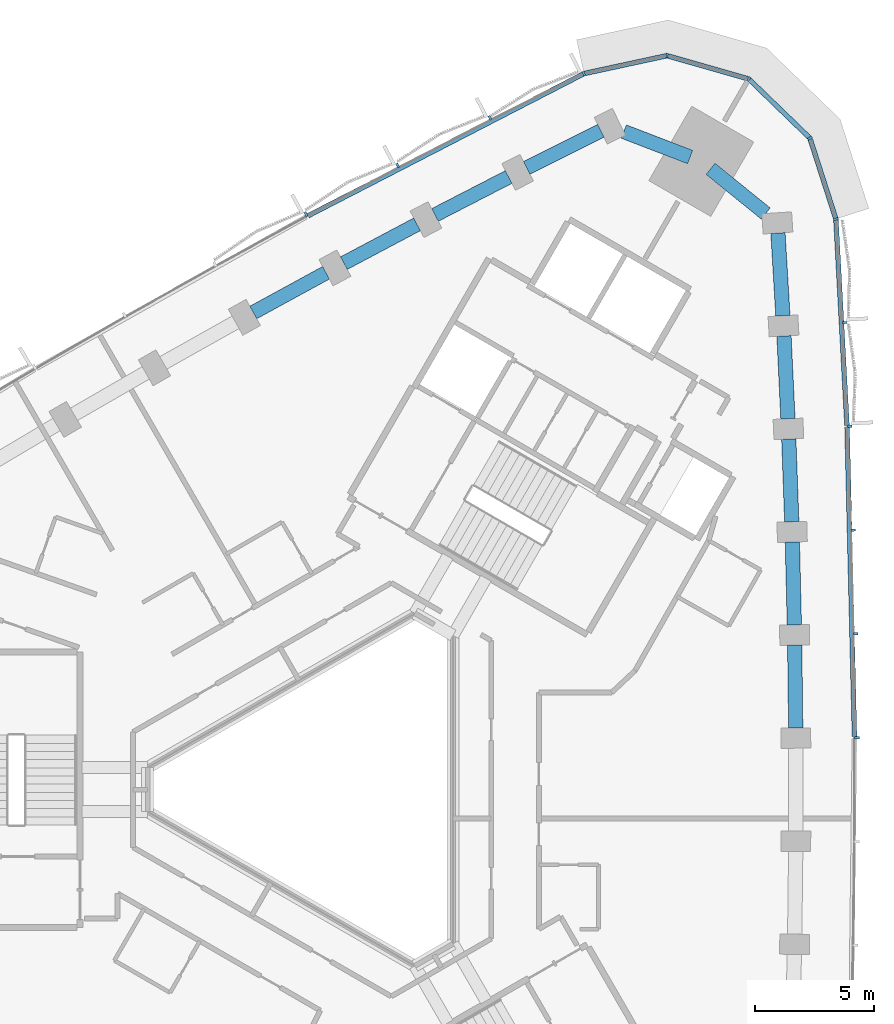
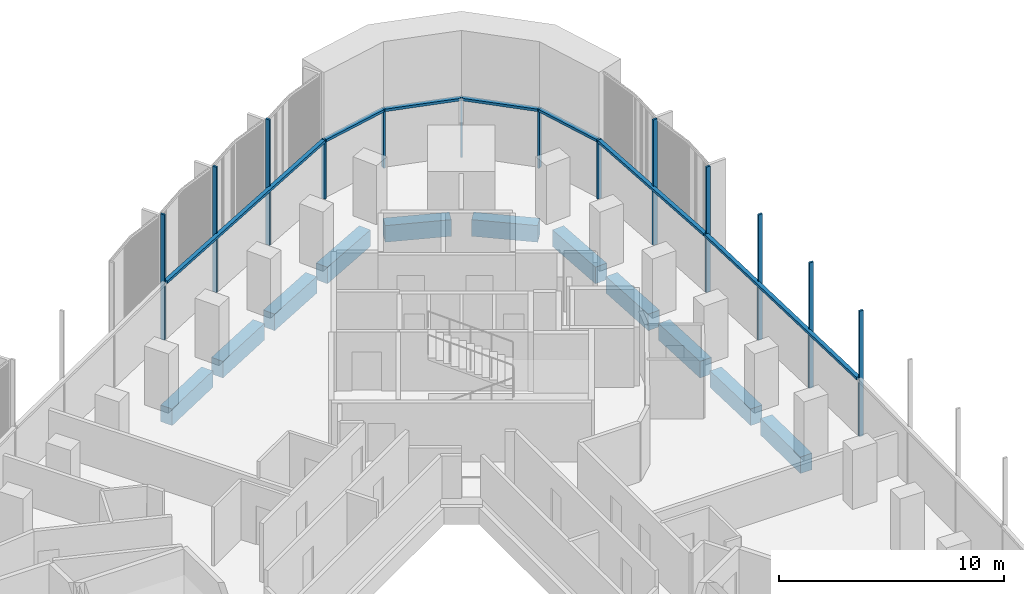
# One storey, part 5 of 14: 20 members, 11 beams, 2 elements without a shape of their own.
"""IFC4 building model written with IfcOpenShell, lengths in metres."""

from ifc_helpers import new_model, si_unit, direction, frame, origin, origin_2d, place, context, subcontext, project, spatial, rectangle, extrude, material, material_profile, profile_set, type_object, element, aggregate, save


model = new_model("IFC4")

# Units and contexts
model_context = context("Model", 3, precision=1e-05, world=origin(), true_north=direction((0.0, 1.0)))
body_context = subcontext(model_context, "Body", "Model", "MODEL_VIEW")
ifc_project = project(units=[si_unit("LENGTHUNIT", "METRE"), si_unit("AREAUNIT", "SQUARE_METRE"), si_unit("VOLUMEUNIT", "CUBIC_METRE"), si_unit("PLANEANGLEUNIT", "RADIAN"), si_unit("MASSUNIT", "GRAM", prefix="KILO")], contexts=[model_context])

# Site, building, storey
site_placement = place(None, origin())
site = spatial("IfcSite", under=ifc_project, at=site_placement, CompositionType="ELEMENT")
building_placement = place(site_placement, origin())
building = spatial("IfcBuilding", under=site, at=building_placement, Name="Tamra Quay Hotel Tower", CompositionType="ELEMENT")
storey_placement = place(building_placement, frame((0.0, 0.0, 150.39990234375)))
storey = spatial("IfcBuildingStorey", under=building, at=storey_placement, Name="L37", CompositionType="ELEMENT", Elevation=150.39990234375)

# Curtain wall, members
ifc_material_1 = material(Name="Aluminium 6063 anodised dark grey", Category="aluminium")
curtain_wall_type_1 = type_object("IfcCurtainWallType", Name="CW1 CURTAIN WALL", PredefinedType="NOTDEFINED", material=ifc_material_1)
curtain_wall_1_placement = place(storey_placement, origin())
curtain_wall_1 = element("IfcCurtainWall", 1, at=curtain_wall_1_placement, inside=storey, type_object=curtain_wall_type_1, Name="CW1 east face L37", PredefinedType="NOTDEFINED")
ifc_material_profile_1 = material_profile(ifc_material_1, rectangle(XDim=0.199951171875, YDim=0.10009765625, at=origin_2d()), Name="MULLION 100X200")
ifc_profile_set_1 = profile_set([ifc_material_profile_1], Name="Aluminium 6063 anodised dark grey")
member_type_1 = type_object("IfcMemberType", Name="MULLION CW1 Z3", PredefinedType="MULLION", material=ifc_profile_set_1)
member_1_placement = place(storey_placement, frame((21.7314453125, 2.177001953125, 0.0), z_axis=(0.0, 0.0, 1.0), x_axis=(0.999982128389, 0.005978536749, 0.0)))
member_1 = element("IfcMember", 2, at=member_1_placement, type_object=member_type_1, Name="CW1 mullion L37.E.7", PredefinedType="MULLION", context=body_context, shape_type="SweptSolid", body=[
    extrude(rectangle(XDim=0.199951171875, YDim=0.10009765625, at=origin_2d()), origin(), (0.0, 0.0, 1.0), 6.800048828125),
])
member_2_placement = place(storey_placement, frame((21.679443359375, 6.52880859375, 0.0), z_axis=(0.0, 0.0, 1.0), x_axis=(0.999839304234, 0.017926675875, 0.0)))
member_2 = element("IfcMember", 3, at=member_2_placement, type_object=member_type_1, Name="CW1 mullion L37.E.8", PredefinedType="MULLION", context=body_context, shape_type="SweptSolid", body=[
    extrude(rectangle(XDim=0.199951171875, YDim=0.10009765625, at=origin_2d()), origin(), (0.0, 0.0, 1.0), 6.800048828125),
])
member_3_placement = place(storey_placement, frame((21.575439453125, 10.88134765625, 0.0), z_axis=(0.0, 0.0, 1.0), x_axis=(0.999553757047, 0.029871169599, 0.0)))
member_3 = element("IfcMember", 4, at=member_3_placement, type_object=member_type_1, Name="CW1 mullion L37.E.9", PredefinedType="MULLION", context=body_context, shape_type="SweptSolid", body=[
    extrude(rectangle(XDim=0.199951171875, YDim=0.10009765625, at=origin_2d()), origin(), (0.0, 0.0, 1.0), 6.800048828125),
])
member_4_placement = place(storey_placement, frame((21.41943359375, 15.232421875, 0.0), z_axis=(0.0, 0.0, 1.0), x_axis=(0.99912611643, 0.041797170557, 0.0)))
member_4 = element("IfcMember", 5, at=member_4_placement, type_object=member_type_1, Name="CW1 mullion L37.E.10", PredefinedType="MULLION", context=body_context, shape_type="SweptSolid", body=[
    extrude(rectangle(XDim=0.199951171875, YDim=0.10009765625, at=origin_2d()), origin(), (0.0, 0.0, 1.0), 6.800048828125),
])
member_5_placement = place(storey_placement, frame((21.211669921875, 19.57958984375, 0.0), z_axis=(0.0, 0.0, 1.0), x_axis=(0.99855735675, 0.053695486602, 0.0)))
member_5 = element("IfcMember", 6, at=member_5_placement, type_object=member_type_1, Name="CW1 mullion L37.E.11", PredefinedType="MULLION", context=body_context, shape_type="SweptSolid", body=[
    extrude(rectangle(XDim=0.199951171875, YDim=0.10009765625, at=origin_2d()), origin(), (0.0, 0.0, 1.0), 6.800048828125),
])
member_6_placement = place(storey_placement, frame((20.852294921875, 23.918212890625, 0.0), z_axis=(0.0, 0.0, 1.0), x_axis=(0.982883217826, 0.184229693905, 0.0)))
member_6 = element("IfcMember", 7, at=member_6_placement, type_object=member_type_1, Name="CW1 mullion L37.E.12", PredefinedType="MULLION", context=body_context, shape_type="SweptSolid", body=[
    extrude(rectangle(XDim=0.199951171875, YDim=0.10009765625, at=origin_2d()), origin(), (0.0, 0.0, 1.0), 3.2001953125),
])
member_7_placement = place(storey_placement, frame((19.76171875, 27.312255859375, 0.0), z_axis=(0.0, 0.0, 1.0), x_axis=(0.849197833806, 0.52807484229, 0.0)))
member_7 = element("IfcMember", 8, at=member_7_placement, type_object=member_type_1, Name="CW1 mullion L37.E.13", PredefinedType="MULLION", context=body_context, shape_type="SweptSolid", body=[
    extrude(rectangle(XDim=0.199951171875, YDim=0.10009765625, at=origin_2d()), origin(), (0.0, 0.0, 1.0), 3.2001953125),
])
member_8_placement = place(storey_placement, frame((17.199951171875, 29.791259765625, 0.0), z_axis=(0.0, 0.0, 1.0), x_axis=(0.5, 0.866025403784, 0.0)))
member_8 = element("IfcMember", 9, at=member_8_placement, type_object=member_type_1, Name="CW1 mullion L37.E.14", PredefinedType="MULLION", context=body_context, shape_type="SweptSolid", body=[
    extrude(rectangle(XDim=0.199951171875, YDim=0.10009765625, at=origin_2d()), origin(), (0.0, 0.0, 1.0), 3.2001953125),
])
member_9_placement = place(storey_placement, frame((13.772216796875, 30.770263671875, 0.0), z_axis=(0.0, 0.0, 1.0), x_axis=(0.032727311619, 0.99946431806, 0.0)))
member_9 = element("IfcMember", 10, at=member_9_placement, type_object=member_type_1, Name="CW1 mullion L37.E.15", PredefinedType="MULLION", context=body_context, shape_type="SweptSolid", body=[
    extrude(rectangle(XDim=0.199951171875, YDim=0.10009765625, at=origin_2d()), origin(), (0.0, 0.0, 1.0), 3.2001953125),
])

curtain_wall_type_2 = type_object("IfcCurtainWallType", Name="CW2 CURTAIN WALL", PredefinedType="NOTDEFINED", material=ifc_material_1)
curtain_wall_2_placement = place(storey_placement, origin())
curtain_wall_2 = element("IfcCurtainWall", 11, at=curtain_wall_2_placement, inside=storey, type_object=curtain_wall_type_2, Name="CW2 north-west face L37", PredefinedType="NOTDEFINED")
ifc_material_profile_2 = material_profile(ifc_material_1, rectangle(XDim=0.199951171875, YDim=0.10009765625, at=origin_2d()), Name="MULLION 100X200")
ifc_profile_set_2 = profile_set([ifc_material_profile_2], Name="Aluminium 6063 anodised dark grey")
member_type_2 = type_object("IfcMemberType", Name="MULLION CW2 Z3", PredefinedType="MULLION", material=ifc_profile_set_2)
member_10_placement = place(storey_placement, frame((10.28759765625, 30.017578125, 0.0), z_axis=(0.0, 0.0, 1.0), x_axis=(-0.33189401386, 0.943316682543, 0.0)))
member_10 = element("IfcMember", 12, at=member_10_placement, type_object=member_type_2, Name="CW2 mullion L37.NW.1", PredefinedType="MULLION", context=body_context, shape_type="SweptSolid", body=[
    extrude(rectangle(XDim=0.199951171875, YDim=0.10009765625, at=origin_2d()), origin(), (0.0, 0.0, 1.0), 3.2001953125),
])
member_11_placement = place(storey_placement, frame((6.3505859375, 28.15966796875, 0.0), z_axis=(0.0, 0.0, 1.0), x_axis=(-0.452777022909, 0.891623781382, 0.0)))
member_11 = element("IfcMember", 13, at=member_11_placement, type_object=member_type_2, Name="CW2 mullion L37.NW.2", PredefinedType="MULLION", context=body_context, shape_type="SweptSolid", body=[
    extrude(rectangle(XDim=0.199951171875, YDim=0.10009765625, at=origin_2d()), origin(), (0.0, 0.0, 1.0), 6.800048828125),
])
member_12_placement = place(storey_placement, frame((2.48193359375, 26.166015625, 0.0), z_axis=(0.0, 0.0, 1.0), x_axis=(-0.463365646706, 0.886167183692, 0.0)))
member_12 = element("IfcMember", 14, at=member_12_placement, type_object=member_type_2, Name="CW2 mullion L37.NW.3", PredefinedType="MULLION", context=body_context, shape_type="SweptSolid", body=[
    extrude(rectangle(XDim=0.199951171875, YDim=0.10009765625, at=origin_2d()), origin(), (0.0, 0.0, 1.0), 6.800048828125),
])
member_13_placement = place(storey_placement, frame((-1.3642578125, 24.12548828125, 0.0), z_axis=(0.0, 0.0, 1.0), x_axis=(-0.47390768681, 0.88057453085, 0.0)))
member_13 = element("IfcMember", 15, at=member_13_placement, type_object=member_type_2, Name="CW2 mullion L37.NW.4", PredefinedType="MULLION", context=body_context, shape_type="SweptSolid", body=[
    extrude(rectangle(XDim=0.199951171875, YDim=0.10009765625, at=origin_2d()), origin(), (0.0, 0.0, 1.0), 6.800048828125),
])

# Beams
ifc_material_2 = material(Name="Concrete M60", Category="concrete")
ifc_material_profile_3 = material_profile(ifc_material_2, rectangle(XDim=0.60009765625, YDim=0.89990234375, at=origin_2d()), Name="SPANDREL BEAM RC 600x900")
ifc_profile_set_3 = profile_set([ifc_material_profile_3], Name="Concrete M60")
beam_type = type_object("IfcBeamType", Name="SPANDREL BEAM RC 600x900", PredefinedType="SPANDREL", material=ifc_profile_set_3)
beam_1_placement = place(storey_placement, frame((19.165771484375, 2.586181640625, -0.849853515625), z_axis=(-0.011951617666, 0.999928576867, 0.0), x_axis=(-0.999928576867, -0.011951617666, 0.0)))
element("IfcBeam", 16, at=beam_1_placement, inside=storey, type_object=beam_type, Name="BM-SP3-006-L37", PredefinedType="SPANDREL", context=body_context, shape_type="SweptSolid", body=[
    extrude(rectangle(XDim=0.60009765625, YDim=0.89990234375, at=origin_2d()), origin(), (0.0, 0.0, 1.0), 3.47265625),
])
beam_2_placement = place(storey_placement, frame((19.10888671875, 6.90869140625, -0.849853515625), z_axis=(-0.023906514803, 0.999714198434, 0.0), x_axis=(-0.999714198434, -0.023906514803, 0.0)))
element("IfcBeam", 17, at=beam_2_placement, inside=storey, type_object=beam_type, Name="BM-SP3-007-L37", PredefinedType="SPANDREL", context=body_context, shape_type="SweptSolid", body=[
    extrude(rectangle(XDim=0.60009765625, YDim=0.89990234375, at=origin_2d()), origin(), (0.0, 0.0, 1.0), 3.47216796875),
])
beam_3_placement = place(storey_placement, frame((19.00048828125, 11.2294921875, -0.849853515625), z_axis=(-0.035786826945, 0.999359446354, 0.0), x_axis=(-0.999359446354, -0.035786826945, 0.0)))
element("IfcBeam", 18, at=beam_3_placement, inside=storey, type_object=beam_type, Name="BM-SP3-008-L37", PredefinedType="SPANDREL", context=body_context, shape_type="SweptSolid", body=[
    extrude(rectangle(XDim=0.60009765625, YDim=0.89990234375, at=origin_2d()), origin(), (0.0, 0.0, 1.0), 3.472412109375),
])
beam_4_placement = place(storey_placement, frame((18.840576171875, 15.548828125, -0.849853515625), z_axis=(-0.047732145575, 0.998860171535, 0.0), x_axis=(-0.998860171535, -0.047732145575, 0.0)))
element("IfcBeam", 19, at=beam_4_placement, inside=storey, type_object=beam_type, Name="BM-SP3-009-L37", PredefinedType="SPANDREL", context=body_context, shape_type="SweptSolid", body=[
    extrude(rectangle(XDim=0.60009765625, YDim=0.89990234375, at=origin_2d()), origin(), (0.0, 0.0, 1.0), 3.472900390625),
])
beam_5_placement = place(storey_placement, frame((18.629150390625, 19.86669921875, -0.849853515625), z_axis=(-0.059620475238, 0.998221117254, 0.0), x_axis=(-0.998221117254, -0.059620475238, 0.0)))
element("IfcBeam", 20, at=beam_5_placement, inside=storey, type_object=beam_type, Name="BM-SP3-010-L37", PredefinedType="SPANDREL", context=body_context, shape_type="SweptSolid", body=[
    extrude(rectangle(XDim=0.60009765625, YDim=0.89990234375, at=origin_2d()), origin(), (0.0, 0.0, 1.0), 3.472412109375),
])
beam_6_placement = place(storey_placement, frame((17.909912109375, 24.151123046875, -0.849853515625), z_axis=(-0.777183767602, 0.629273701482, 0.0), x_axis=(-0.629273701482, -0.777183767602, 0.0)))
element("IfcBeam", 21, at=beam_6_placement, inside=storey, type_object=beam_type, Name="BM-SP3-011-L37", PredefinedType="SPANDREL", context=body_context, shape_type="SweptSolid", body=[
    extrude(rectangle(XDim=0.60009765625, YDim=0.89990234375, at=origin_2d()), origin(), (0.0, 0.0, 1.0), 2.977783203125),
])
beam_7_placement = place(storey_placement, frame((14.74072265625, 26.5185546875, -0.849853515625), z_axis=(-0.933527198951, 0.358506581278, 0.0), x_axis=(-0.358506581278, -0.933527198951, 0.0)))
element("IfcBeam", 22, at=beam_7_placement, inside=storey, type_object=beam_type, Name="BM-SP3-012-L37", PredefinedType="SPANDREL", context=body_context, shape_type="SweptSolid", body=[
    extrude(rectangle(XDim=0.60009765625, YDim=0.89990234375, at=origin_2d()), origin(), (0.0, 0.0, 1.0), 2.97802734375),
])
beam_8_placement = place(storey_placement, frame((10.995849609375, 27.620361328125, -0.849853515625), z_axis=(-0.894314670292, -0.447438566174, 0.0), x_axis=(0.447438566174, -0.894314670292, 0.0)))
element("IfcBeam", 23, at=beam_8_placement, inside=storey, type_object=beam_type, Name="BM-SP3-013-L37", PredefinedType="SPANDREL", context=body_context, shape_type="SweptSolid", body=[
    extrude(rectangle(XDim=0.60009765625, YDim=0.89990234375, at=origin_2d()), origin(), (0.0, 0.0, 1.0), 3.472412109375),
])
beam_9_placement = place(storey_placement, frame((7.132568359375, 25.681640625, -0.849853515625), z_axis=(-0.888919913451, -0.458062645792, 0.0), x_axis=(0.458062645792, -0.888919913451, 0.0)))
element("IfcBeam", 24, at=beam_9_placement, inside=storey, type_object=beam_type, Name="BM-SP3-014-L37", PredefinedType="SPANDREL", context=body_context, shape_type="SweptSolid", body=[
    extrude(rectangle(XDim=0.60009765625, YDim=0.89990234375, at=origin_2d()), origin(), (0.0, 0.0, 1.0), 3.472900390625),
])
for number, where, z_axis, x_axis, name in (
    (25, (3.292236328125, 23.697021484375, -0.849853515625), (-0.883411391477, -0.468598243071, 0.0), (0.468598243071, -0.883411391477, 0.0), "BM-SP3-015-L37"),
    (26, (-0.523681640625, 21.6669921875, -0.849853515625), (-0.877731617539, -0.479152593202, 0.0), (0.479152593202, -0.877731617539, 0.0), "BM-SP3-016-L37"),
):
    element("IfcBeam", number, at=place(storey_placement, frame(where, z_axis=z_axis, x_axis=x_axis)), inside=storey, type_object=beam_type, Name=name, PredefinedType="SPANDREL", context=body_context, shape_type="SweptSolid", body=[
        extrude(rectangle(XDim=0.60009765625, YDim=0.89990234375, at=origin_2d()), origin(), (0.0, 0.0, 1.0), 3.472412109375),
    ])

# Member
ifc_material_profile_4 = material_profile(ifc_material_1, rectangle(XDim=0.199951171875, YDim=0.139892578125, at=origin_2d()), Name="TRANSOM 200X140")
ifc_profile_set_4 = profile_set([ifc_material_profile_4], Name="Aluminium 6063 anodised dark grey")
member_type_3 = type_object("IfcMemberType", Name="TRANSOM CW1 Z3", PredefinedType="USERDEFINED", material=ifc_profile_set_4)
member_14_placement = place(storey_placement, frame((21.630859375, 2.226318359375, 3.130126953125), z_axis=(-0.023894704372, 0.999714480791, 0.0), x_axis=(-0.999714480791, -0.023894704372, 0.0)))
member_14 = element("IfcMember", 27, at=member_14_placement, type_object=member_type_3, Name="CW1 transom L37.E.7", ObjectType="TRANSOM", PredefinedType="USERDEFINED", context=body_context, shape_type="SweptSolid", body=[
    extrude(rectangle(XDim=0.199951171875, YDim=0.139892578125, at=origin_2d()), origin(), (0.0, 0.0, 1.0), 12.95556640625),
])

member_15_placement = place(storey_placement, frame((21.317138671875, 15.278076171875, 3.130126953125), z_axis=(-0.053693818243, 0.998557446461, 0.0), x_axis=(-0.998557446461, -0.053693818243, 0.0)))
member_15 = element("IfcMember", 28, at=member_15_placement, type_object=member_type_3, Name="CW1 transom L37.E.10", ObjectType="TRANSOM", PredefinedType="USERDEFINED", context=body_context, shape_type="SweptSolid", body=[
    extrude(rectangle(XDim=0.199951171875, YDim=0.139892578125, at=origin_2d()), origin(), (0.0, 0.0, 1.0), 8.602783203125),
])

member_16_placement = place(storey_placement, frame((20.8369140625, 23.9658203125, 3.130126953125), z_axis=(-0.305936194626, 0.952052017916, 0.0), x_axis=(-0.952052017916, -0.305936194626, 0.0)))
member_16 = element("IfcMember", 29, at=member_16_placement, type_object=member_type_3, Name="CW1 transom L37.E.12", ObjectType="TRANSOM", PredefinedType="USERDEFINED", context=body_context, shape_type="SweptSolid", body=[
    extrude(rectangle(XDim=0.199951171875, YDim=0.139892578125, at=origin_2d()), origin(), (0.0, 0.0, 1.0), 3.465087890625),
])

member_17_placement = place(storey_placement, frame((19.725830078125, 27.346923828125, 3.130126953125), z_axis=(-0.718602141767, 0.695421427516, 0.0), x_axis=(-0.695421427516, -0.718602141767, 0.0)))
member_17 = element("IfcMember", 30, at=member_17_placement, type_object=member_type_3, Name="CW1 transom L37.E.13", ObjectType="TRANSOM", PredefinedType="USERDEFINED", context=body_context, shape_type="SweptSolid", body=[
    extrude(rectangle(XDim=0.199951171875, YDim=0.139892578125, at=origin_2d()), origin(), (0.0, 0.0, 1.0), 3.465087890625),
])

member_18_placement = place(storey_placement, frame((17.15185546875, 29.804931640625, 3.130126953125), z_axis=(-0.961558507518, 0.274600139513, 0.0), x_axis=(-0.274600139513, -0.961558507518, 0.0)))
member_18 = element("IfcMember", 31, at=member_18_placement, type_object=member_type_3, Name="CW1 transom L37.E.14", ObjectType="TRANSOM", PredefinedType="USERDEFINED", context=body_context, shape_type="SweptSolid", body=[
    extrude(rectangle(XDim=0.199951171875, YDim=0.139892578125, at=origin_2d()), origin(), (0.0, 0.0, 1.0), 3.46484375),
])

member_19_placement = place(storey_placement, frame((13.723388671875, 30.759521484375, 3.130126953125), z_axis=(-0.977466057655, -0.211092648218, 0.0), x_axis=(0.211092648218, -0.977466057655, 0.0)))
member_19 = element("IfcMember", 32, at=member_19_placement, type_object=member_type_3, Name="CW1 transom L37.E.15", ObjectType="TRANSOM", PredefinedType="USERDEFINED", context=body_context, shape_type="SweptSolid", body=[
    extrude(rectangle(XDim=0.199951171875, YDim=0.139892578125, at=origin_2d()), origin(), (0.0, 0.0, 1.0), 3.465087890625),
])

aggregate(curtain_wall_1, [member_1, member_14, member_2, member_3, member_4, member_15, member_5, member_6, member_16, member_7, member_17, member_8, member_18, member_9, member_19])

ifc_material_profile_5 = material_profile(ifc_material_1, rectangle(XDim=0.199951171875, YDim=0.139892578125, at=origin_2d()), Name="TRANSOM 200X140")
ifc_profile_set_5 = profile_set([ifc_material_profile_5], Name="Aluminium 6063 anodised dark grey")
member_type_4 = type_object("IfcMemberType", Name="TRANSOM CW2 Z3", PredefinedType="USERDEFINED", material=ifc_profile_set_5)
member_20_placement = place(storey_placement, frame((10.242919921875, 29.995361328125, 3.130126953125), z_axis=(-0.888910612122, -0.458080695574, 0.0), x_axis=(0.458080695574, -0.888910612122, 0.0)))
member_20 = element("IfcMember", 33, at=member_20_placement, type_object=member_type_4, Name="CW2 transom L37.NW.1", ObjectType="TRANSOM", PredefinedType="USERDEFINED", context=body_context, shape_type="SweptSolid", body=[
    extrude(rectangle(XDim=0.199951171875, YDim=0.139892578125, at=origin_2d()), origin(), (0.0, 0.0, 1.0), 12.954833984375),
])

aggregate(curtain_wall_2, [member_10, member_20, member_11, member_12, member_13])

save(model, "model.ifc")
